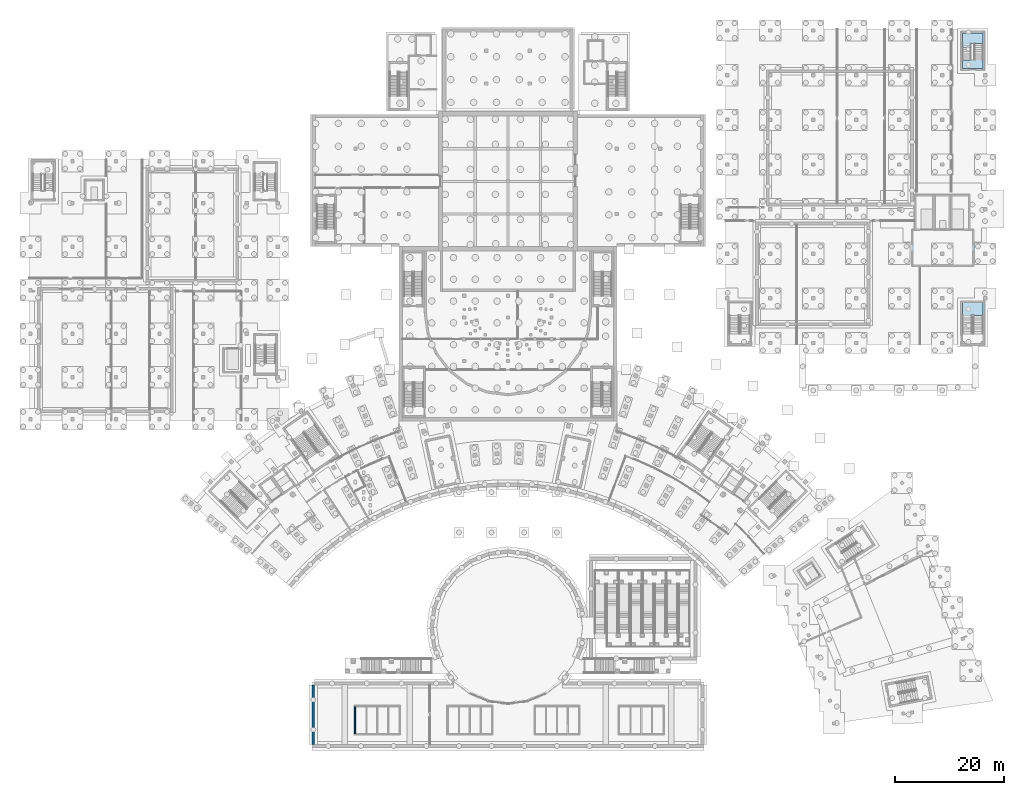
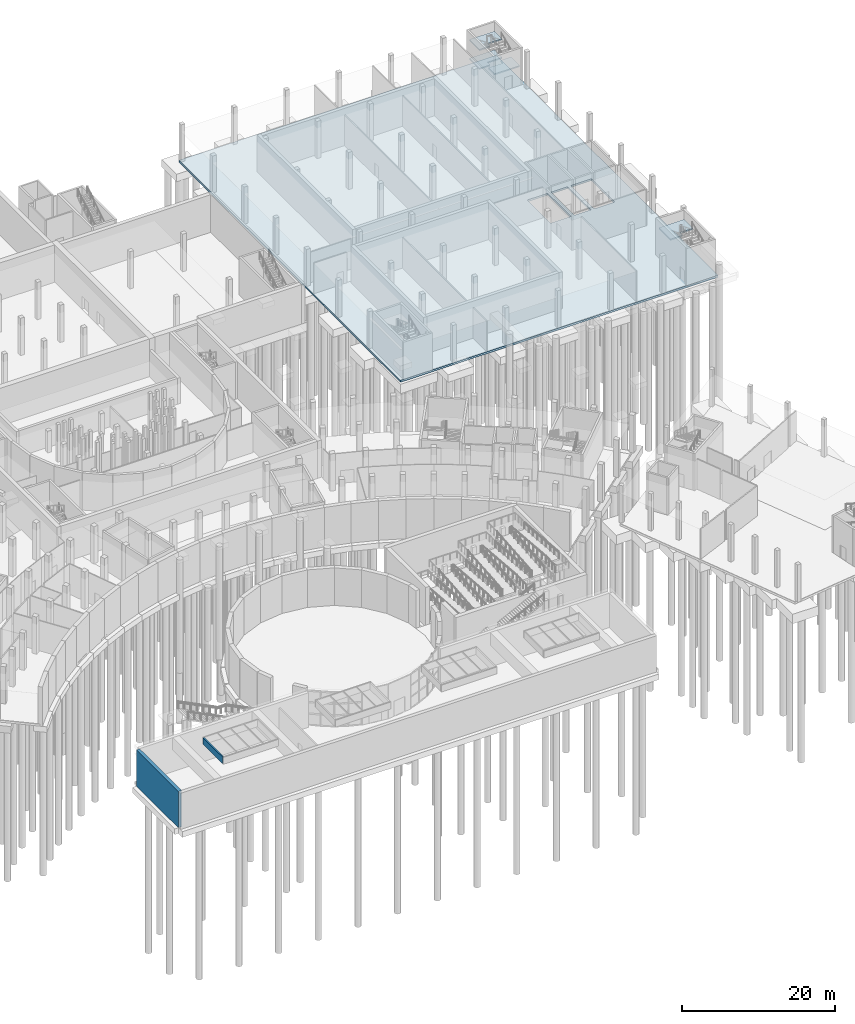
# One storey, part 18 of 66: 5 slabs, 2 walls, 2 elements without a shape of their own.
"""IFC4 building model written with IfcOpenShell, lengths in metres."""

from ifc_helpers import new_model, si_unit, direction, frame, frame_2d, origin, place, context, subcontext, project, spatial, polyline, rectangle, outline, extrude, material, layer, layer_set, type_object, element, aggregate, save


model = new_model("IFC4")

# Units and contexts
model_context = context("Model", 3, precision=1e-05, world=origin(), true_north=direction((0.0, 1.0)))
body_context = subcontext(model_context, "Body", "Model", "MODEL_VIEW")
ifc_project = project(units=[si_unit("LENGTHUNIT", "METRE"), si_unit("AREAUNIT", "SQUARE_METRE"), si_unit("VOLUMEUNIT", "CUBIC_METRE"), si_unit("PLANEANGLEUNIT", "RADIAN"), si_unit("MASSUNIT", "GRAM", prefix="KILO")], contexts=[model_context])

# Site, building, storey
site_placement = place(None, origin())
site = spatial("IfcSite", under=ifc_project, at=site_placement, CompositionType="ELEMENT")
building_placement = place(site_placement, origin())
building = spatial("IfcBuilding", under=site, at=building_placement, Name="Lunette Opera House", CompositionType="ELEMENT")
storey_placement = place(building_placement, frame((0.0, 0.0, -6.0)))
storey = spatial("IfcBuildingStorey", under=building, at=storey_placement, Name="B1", CompositionType="ELEMENT", Elevation=-6.0)

# Slab
ifc_material_1 = material(Name="Concrete C35/45", Category="concrete")
ifc_layer_1 = layer(ifc_material_1, 0.300048828125)
ifc_layer_set_1 = layer_set([ifc_layer_1], Name="Concrete C35/45")
slab_type_1 = type_object("IfcSlabType", Name="BASE SLAB 300", PredefinedType="BASESLAB", material=ifc_layer_set_1)
slab_1_placement = place(storey_placement, frame((0.0, 0.0, -0.300048828125)))
element("IfcSlab", 1, at=slab_1_placement, inside=storey, type_object=slab_type_1, Name="slab-WW-B1-B1", PredefinedType="BASESLAB", context=body_context, shape_type="SweptSolid", body=[
    extrude(outline(polyline([(136.0, 78.0), (184.0, 78.0), (184.0, 136.0), (136.0, 136.0), (136.0, 78.0)]), holes=[polyline([(174.050048828125, 99.25), (170.949951171875, 99.25), (170.949951171875, 105.35009765625), (174.050048828125, 105.35009765625), (174.050048828125, 99.25)]), polyline([(174.550048828125, 99.25), (174.550048828125, 105.35009765625), (177.050048828125, 105.35009765625), (177.050048828125, 99.25), (174.550048828125, 99.25)]), polyline([(177.550048828125, 99.25), (177.550048828125, 105.35009765625), (180.64990234375, 105.35009765625), (180.64990234375, 99.25), (177.550048828125, 99.25)])]), origin(), (0.0, 0.0, 1.0), 0.300048828125),
])

# Stair, slabs
ifc_material_2 = material(Name="Concrete C35/45", Category="concrete")
stair_type_1 = type_object("IfcStairType", Name="DOGLEG STAIR 1600", PredefinedType="HALF_TURN_STAIR", material=ifc_material_2)
stair_1_placement = place(storey_placement, origin())
stair_1 = element("IfcStair", 2, at=stair_1_placement, inside=storey, type_object=stair_type_1, Name="B1 stair ST19", PredefinedType="HALF_TURN_STAIR")
ifc_material_3 = material(Name="Concrete C35/45", Category="concrete")
ifc_layer_2 = layer(ifc_material_3, 0.199951171875)
ifc_layer_set_2 = layer_set([ifc_layer_2], Name="Concrete C35/45")
slab_type_2 = type_object("IfcSlabType", Name="STAIR LANDING SLAB 200", PredefinedType="LANDING", material=ifc_layer_set_2)
slab_2_placement = place(storey_placement, frame((0.0, 0.0, 1.300048828125)))
slab_2 = element("IfcSlab", 3, at=slab_2_placement, type_object=slab_type_2, Name="ST19 landing 1", PredefinedType="LANDING", context=body_context, shape_type="SweptSolid", body=[
    extrude(outline(polyline([(183.300048828125, 133.330078125), (181.699951171875, 133.330078125), (181.699951171875, 133.340087890625), (181.10009765625, 133.340087890625), (181.10009765625, 132.639892578125), (179.5, 132.639892578125), (179.5, 135.300048828125), (183.300048828125, 135.300048828125), (183.300048828125, 133.330078125)])), origin(), (0.0, 0.0, 1.0), 0.199951171875),
])
slab_3_placement = place(storey_placement, frame((0.0, 0.0, 2.800048828125)))
slab_3 = element("IfcSlab", 4, at=slab_3_placement, type_object=slab_type_2, Name="ST19 landing 2", PredefinedType="LANDING", context=body_context, shape_type="SweptSolid", body=[
    extrude(outline(polyline([(179.5, 128.699951171875), (179.5, 130.31005859375), (181.10009765625, 130.31005859375), (181.10009765625, 130.300048828125), (181.699951171875, 130.300048828125), (181.699951171875, 131.0), (183.300048828125, 131.0), (183.300048828125, 128.699951171875), (179.5, 128.699951171875)])), origin(), (0.0, 0.0, 1.0), 0.199951171875),
])
slab_4_placement = place(storey_placement, frame((0.0, 0.0, 4.300048828125)))
slab_4 = element("IfcSlab", 5, at=slab_4_placement, type_object=slab_type_2, Name="ST19 landing 3", PredefinedType="LANDING", context=body_context, shape_type="SweptSolid", body=[
    extrude(outline(polyline([(183.300048828125, 133.330078125), (181.699951171875, 133.330078125), (181.699951171875, 133.340087890625), (181.10009765625, 133.340087890625), (181.10009765625, 132.639892578125), (179.5, 132.639892578125), (179.5, 135.300048828125), (183.300048828125, 135.300048828125), (183.300048828125, 133.330078125)])), origin(), (0.0, 0.0, 1.0), 0.199951171875),
])
aggregate(stair_1, [slab_2, slab_3, slab_4])

# Stair, slab
ifc_material_4 = material(Name="Concrete C35/45", Category="concrete")
stair_type_2 = type_object("IfcStairType", Name="DOGLEG STAIR 1800", PredefinedType="HALF_TURN_STAIR", material=ifc_material_4)
stair_2_placement = place(storey_placement, origin())
stair_2 = element("IfcStair", 6, at=stair_2_placement, inside=storey, type_object=stair_type_2, Name="B1 stair ST20", PredefinedType="HALF_TURN_STAIR")
slab_5_placement = place(storey_placement, frame((0.0, 0.0, 4.300048828125)))
slab_5 = element("IfcSlab", 7, at=slab_5_placement, type_object=slab_type_2, Name="ST20 landing 3", PredefinedType="LANDING", context=body_context, shape_type="SweptSolid", body=[
    extrude(outline(polyline([(183.300048828125, 83.35009765625), (181.5, 83.35009765625), (181.5, 83.360107421875), (181.300048828125, 83.360107421875), (181.300048828125, 82.659912109375), (179.5, 82.659912109375), (179.5, 85.699951171875), (183.300048828125, 85.699951171875), (183.300048828125, 83.35009765625)])), origin(), (0.0, 0.0, 1.0), 0.199951171875),
])
aggregate(stair_2, [slab_5])

# Walls
ifc_material_5 = material(Name="Concrete C35/45", Category="concrete")
ifc_layer_3 = layer(ifc_material_5, 0.5)
ifc_layer_set_3 = layer_set([ifc_layer_3], Name="Concrete C35/45")
wall_type_1 = type_object("IfcWallType", Name="RC WALL 500", PredefinedType="SHEAR", material=ifc_layer_set_3)
wall_1_placement = place(storey_placement, frame((60.25, 4.5, -0.300048828125), z_axis=(0.0, 0.0, 1.0), x_axis=(0.0, 1.0, 0.0)))
element("IfcWall", 8, at=wall_1_placement, inside=storey, type_object=wall_type_1, Name="wall-SF-B1-CNW-1", PredefinedType="SHEAR", context=body_context, shape_type="SweptSolid", body=[
    extrude(rectangle(XDim=11.0, YDim=0.5, at=frame_2d((5.5, 0.0))), origin(), (0.0, 0.0, 1.0), 5.800048828125),
])
ifc_material_6 = material(Name="Concrete C35/45", Category="concrete")
ifc_layer_4 = layer(ifc_material_6, 0.199951171875)
ifc_layer_set_4 = layer_set([ifc_layer_4], Name="Concrete C35/45")
wall_type_2 = type_object("IfcWallType", Name="ROOFLIGHT UPSTAND 200", PredefinedType="SOLIDWALL", material=ifc_layer_set_4)
wall_2_placement = place(storey_placement, frame((67.89990234375, 6.5, 6.0), z_axis=(0.0, 0.0, 1.0), x_axis=(0.0, 1.0, 0.0)))
element("IfcWall", 9, at=wall_2_placement, inside=storey, type_object=wall_type_2, Name="Rooflight Upstand 200 RL1W B1", PredefinedType="SOLIDWALL", context=body_context, shape_type="SweptSolid", body=[
    extrude(rectangle(XDim=5.0, YDim=0.199951171875, at=frame_2d((2.5, 0.0))), origin(), (0.0, 0.0, 1.0), 1.10009765625),
])

save(model, "model.ifc")
